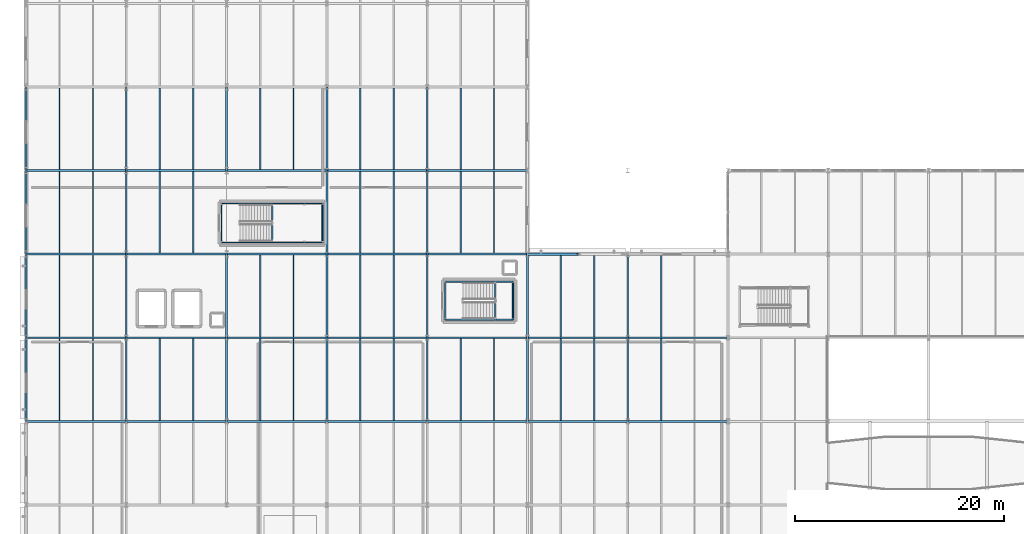
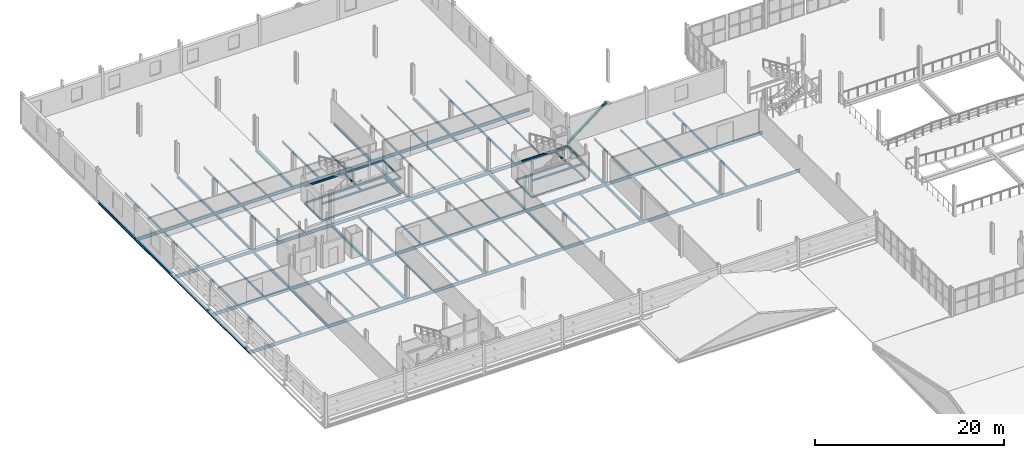
# One storey, part 46 of 85: 103 beams, 1 member.
"""IFC4 building model written with IfcOpenShell, lengths in metres."""

from ifc_helpers import new_model, si_unit, direction, frame, origin, origin_2d, place, context, subcontext, project, spatial, i_section, extrude, material, material_profile, profile_set, type_object, element, save


model = new_model("IFC4")

# Units and contexts
model_context = context("Model", 3, precision=1e-05, world=origin(), true_north=direction((0.0, 1.0)))
body_context = subcontext(model_context, "Body", "Model", "MODEL_VIEW")
ifc_project = project(units=[si_unit("LENGTHUNIT", "METRE"), si_unit("AREAUNIT", "SQUARE_METRE"), si_unit("VOLUMEUNIT", "CUBIC_METRE"), si_unit("PLANEANGLEUNIT", "RADIAN"), si_unit("MASSUNIT", "GRAM", prefix="KILO")], contexts=[model_context])

# Site, building, storey
site_placement = place(None, origin())
site = spatial("IfcSite", under=ifc_project, at=site_placement, CompositionType="ELEMENT")
building_placement = place(site_placement, origin())
building = spatial("IfcBuilding", under=site, at=building_placement, Name="Alderhovde Museum", CompositionType="ELEMENT")
storey_placement = place(building_placement, frame((0.0, 0.0, 8.699951171875)))
storey = spatial("IfcBuildingStorey", under=building, at=storey_placement, Name="L02", CompositionType="ELEMENT", Elevation=8.699951171875)

# Beams
ifc_material_1 = material(Name="Steel S355J2", Category="steel")
ifc_material_profile_1 = material_profile(ifc_material_1, i_section(OverallWidth=0.1201171875, OverallDepth=0.239990234375, WebThickness=0.006103515625, FlangeThickness=0.009765625, FilletRadius=0.014892578125, at=origin_2d()), Name="IPE 240")
ifc_profile_set_1 = profile_set([ifc_material_profile_1], Name="Steel S355J2")
beam_type_1 = type_object("IfcBeamType", Name="BM-IPE240", PredefinedType="BEAM", material=ifc_profile_set_1)
for number, where, z_axis, x_axis, name in (
    (1, (28.320068359375, 81.1201171875, -0.3798828125), (1.0, 0.0, 0.0), (0.0, 1.0, 0.0), "L02 Stair ST2 Floor Trimmer S"),
    (2, (28.320068359375, 84.840087890625, -0.3798828125), (1.0, 0.0, 0.0), (0.0, 1.0, 0.0), "L02 Stair ST2 Floor Trimmer N"),
):
    element("IfcBeam", number, at=place(storey_placement, frame(where, z_axis=z_axis, x_axis=x_axis)), inside=storey, type_object=beam_type_1, Name=name, PredefinedType="BEAM", context=body_context, shape_type="SweptSolid", body=[
        extrude(i_section(OverallWidth=0.1201171875, OverallDepth=0.239990234375, WebThickness=0.006103515625, FlangeThickness=0.009765625, FilletRadius=0.014892578125, at=origin_2d()), origin(), (0.0, 0.0, 1.0), 9.679931640625),
    ])
for number, where, z_axis, x_axis, name in (
    (3, (28.320068359375, 81.1201171875, -0.3798828125), (0.0, 1.0, 0.0), (-1.0, 0.0, 0.0), "L02 Stair ST2 Floor Trimmer W"),
    (4, (38.0, 81.1201171875, -0.3798828125), (0.0, 1.0, 0.0), (-1.0, 0.0, 0.0), "L02 Stair ST2 Floor Trimmer E"),
):
    element("IfcBeam", number, at=place(storey_placement, frame(where, z_axis=z_axis, x_axis=x_axis)), inside=storey, type_object=beam_type_1, Name=name, PredefinedType="BEAM", context=body_context, shape_type="SweptSolid", body=[
        extrude(i_section(OverallWidth=0.1201171875, OverallDepth=0.239990234375, WebThickness=0.006103515625, FlangeThickness=0.009765625, FilletRadius=0.014892578125, at=origin_2d()), origin(), (0.0, 0.0, 1.0), 3.719970703125),
    ])
for number, where, z_axis, x_axis, name in (
    (5, (28.320068359375, 81.1201171875, 1.780029296875), (1.0, 0.0, 0.0), (0.0, 1.0, 0.0), "L02 Stair ST2 Landing 1 Beam S"),
    (6, (28.320068359375, 84.840087890625, 1.780029296875), (1.0, 0.0, 0.0), (0.0, 1.0, 0.0), "L02 Stair ST2 Landing 1 Beam N"),
):
    element("IfcBeam", number, at=place(storey_placement, frame(where, z_axis=z_axis, x_axis=x_axis)), inside=storey, type_object=beam_type_1, Name=name, PredefinedType="BEAM", context=body_context, shape_type="SweptSolid", body=[
        extrude(i_section(OverallWidth=0.1201171875, OverallDepth=0.239990234375, WebThickness=0.006103515625, FlangeThickness=0.009765625, FilletRadius=0.014892578125, at=origin_2d()), origin(), (0.0, 0.0, 1.0), 9.679931640625),
    ])
for number, where, z_axis, x_axis, name in (
    (7, (33.159912109375, 81.1201171875, 1.780029296875), (0.0, 1.0, 0.0), (-1.0, 0.0, 0.0), "L02 Stair ST2 Landing 1 Beam W"),
    (8, (37.919921875, 81.1201171875, 1.780029296875), (0.0, 1.0, 0.0), (-1.0, 0.0, 0.0), "L02 Stair ST2 Landing 1 Beam E"),
):
    element("IfcBeam", number, at=place(storey_placement, frame(where, z_axis=z_axis, x_axis=x_axis)), inside=storey, type_object=beam_type_1, Name=name, PredefinedType="BEAM", context=body_context, shape_type="SweptSolid", body=[
        extrude(i_section(OverallWidth=0.1201171875, OverallDepth=0.239990234375, WebThickness=0.006103515625, FlangeThickness=0.009765625, FilletRadius=0.014892578125, at=origin_2d()), origin(), (0.0, 0.0, 1.0), 3.719970703125),
    ])
for number, where, z_axis, x_axis, name in (
    (9, (49.719970703125, 73.719970703125, -0.3798828125), (1.0, 0.0, 0.0), (0.0, 1.0, 0.0), "L02 Stair ST6 Floor Trimmer S"),
    (10, (49.719970703125, 77.360107421875, -0.3798828125), (1.0, 0.0, 0.0), (0.0, 1.0, 0.0), "L02 Stair ST6 Floor Trimmer N"),
):
    element("IfcBeam", number, at=place(storey_placement, frame(where, z_axis=z_axis, x_axis=x_axis)), inside=storey, type_object=beam_type_1, Name=name, PredefinedType="BEAM", context=body_context, shape_type="SweptSolid", body=[
        extrude(i_section(OverallWidth=0.1201171875, OverallDepth=0.239990234375, WebThickness=0.006103515625, FlangeThickness=0.009765625, FilletRadius=0.014892578125, at=origin_2d()), origin(), (0.0, 0.0, 1.0), 6.52001953125),
    ])
for number, where, z_axis, x_axis, name in (
    (11, (49.719970703125, 73.719970703125, -0.3798828125), (0.0, 1.0, 0.0), (-1.0, 0.0, 0.0), "L02 Stair ST6 Floor Trimmer W"),
    (12, (56.239990234375, 73.719970703125, -0.3798828125), (0.0, 1.0, 0.0), (-1.0, 0.0, 0.0), "L02 Stair ST6 Floor Trimmer E"),
):
    element("IfcBeam", number, at=place(storey_placement, frame(where, z_axis=z_axis, x_axis=x_axis)), inside=storey, type_object=beam_type_1, Name=name, PredefinedType="BEAM", context=body_context, shape_type="SweptSolid", body=[
        extrude(i_section(OverallWidth=0.1201171875, OverallDepth=0.239990234375, WebThickness=0.006103515625, FlangeThickness=0.009765625, FilletRadius=0.014892578125, at=origin_2d()), origin(), (0.0, 0.0, 1.0), 3.64013671875),
    ])
for number, where, z_axis, x_axis, name in (
    (13, (49.719970703125, 73.719970703125, 1.780029296875), (1.0, 0.0, 0.0), (0.0, 1.0, 0.0), "L02 Stair ST6 Landing 1 Beam S"),
    (14, (49.719970703125, 77.360107421875, 1.780029296875), (1.0, 0.0, 0.0), (0.0, 1.0, 0.0), "L02 Stair ST6 Landing 1 Beam N"),
):
    element("IfcBeam", number, at=place(storey_placement, frame(where, z_axis=z_axis, x_axis=x_axis)), inside=storey, type_object=beam_type_1, Name=name, PredefinedType="BEAM", context=body_context, shape_type="SweptSolid", body=[
        extrude(i_section(OverallWidth=0.1201171875, OverallDepth=0.239990234375, WebThickness=0.006103515625, FlangeThickness=0.009765625, FilletRadius=0.014892578125, at=origin_2d()), origin(), (0.0, 0.0, 1.0), 6.52001953125),
    ])
for number, where, z_axis, x_axis, name in (
    (15, (54.52001953125, 73.719970703125, 1.780029296875), (0.0, 1.0, 0.0), (-1.0, 0.0, 0.0), "L02 Stair ST6 Landing 1 Beam W"),
    (16, (56.159912109375, 73.719970703125, 1.780029296875), (0.0, 1.0, 0.0), (-1.0, 0.0, 0.0), "L02 Stair ST6 Landing 1 Beam E"),
):
    element("IfcBeam", number, at=place(storey_placement, frame(where, z_axis=z_axis, x_axis=x_axis)), inside=storey, type_object=beam_type_1, Name=name, PredefinedType="BEAM", context=body_context, shape_type="SweptSolid", body=[
        extrude(i_section(OverallWidth=0.1201171875, OverallDepth=0.239990234375, WebThickness=0.006103515625, FlangeThickness=0.009765625, FilletRadius=0.014892578125, at=origin_2d()), origin(), (0.0, 0.0, 1.0), 3.64013671875),
    ])
ifc_material_2 = material(Name="Steel S355J2", Category="steel")
ifc_material_profile_2 = material_profile(ifc_material_2, i_section(OverallWidth=0.169921875, OverallDepth=0.360107421875, WebThickness=0.008056640625, FlangeThickness=0.0126953125, FilletRadius=0.01806640625, at=origin_2d()), Name="IPE 360")
ifc_profile_set_2 = profile_set([ifc_material_profile_2], Name="Steel S355J2")
beam_type_2 = type_object("IfcBeamType", Name="BM-IPE360", PredefinedType="BEAM", material=ifc_profile_set_2)
for number, where, z_axis, x_axis, name in (
    (17, (9.60009765625, 64.0, -0.43994140625), (0.0, 1.0, 0.0), (-1.0, 0.0, 0.0), "L02 Grid Beam X=9.6 (64.0 TO 72.0)"),
    (18, (9.60009765625, 72.0, -0.43994140625), (0.0, 1.0, 0.0), (-1.0, 0.0, 0.0), "L02 Grid Beam X=9.6 (72.0 TO 80.0)"),
    (19, (9.60009765625, 80.0, -0.43994140625), (0.0, 1.0, 0.0), (-1.0, 0.0, 0.0), "L02 Grid Beam X=9.6 (80.0 TO 88.0)"),
    (20, (9.60009765625, 88.0, -0.43994140625), (0.0, 1.0, 0.0), (-1.0, 0.0, 0.0), "L02 Grid Beam X=9.6 (88.0 TO 96.0)"),
    (21, (19.199951171875, 64.0, -0.43994140625), (0.0, 1.0, 0.0), (-1.0, 0.0, 0.0), "L02 Grid Beam X=19.2 (64.0 TO 72.0)"),
    (22, (19.199951171875, 72.0, -0.43994140625), (0.0, 1.0, 0.0), (-1.0, 0.0, 0.0), "L02 Grid Beam X=19.2 (72.0 TO 80.0)"),
    (23, (19.199951171875, 80.0, -0.43994140625), (0.0, 1.0, 0.0), (-1.0, 0.0, 0.0), "L02 Grid Beam X=19.2 (80.0 TO 88.0)"),
    (24, (19.199951171875, 88.0, -0.43994140625), (0.0, 1.0, 0.0), (-1.0, 0.0, 0.0), "L02 Grid Beam X=19.2 (88.0 TO 96.0)"),
    (25, (28.800048828125, 64.0, -0.43994140625), (0.0, 1.0, 0.0), (-1.0, 0.0, 0.0), "L02 Grid Beam X=28.8 (64.0 TO 72.0)"),
    (26, (28.800048828125, 72.0, -0.43994140625), (0.0, 1.0, 0.0), (-1.0, 0.0, 0.0), "L02 Grid Beam X=28.8 (72.0 TO 80.0)"),
    (27, (28.800048828125, 88.0, -0.43994140625), (0.0, 1.0, 0.0), (-1.0, 0.0, 0.0), "L02 Grid Beam X=28.8 (88.0 TO 96.0)"),
    (28, (38.39990234375, 64.0, -0.43994140625), (0.0, 1.0, 0.0), (-1.0, 0.0, 0.0), "L02 Grid Beam X=38.4 (64.0 TO 72.0)"),
    (29, (38.39990234375, 72.0, -0.43994140625), (0.0, 1.0, 0.0), (-1.0, 0.0, 0.0), "L02 Grid Beam X=38.4 (72.0 TO 80.0)"),
    (30, (38.39990234375, 80.0, -0.43994140625), (0.0, 1.0, 0.0), (-1.0, 0.0, 0.0), "L02 Grid Beam X=38.4 (80.0 TO 88.0)"),
    (31, (38.39990234375, 88.0, -0.43994140625), (0.0, 1.0, 0.0), (-1.0, 0.0, 0.0), "L02 Grid Beam X=38.4 (88.0 TO 96.0)"),
    (32, (48.0, 64.0, -0.43994140625), (0.0, 1.0, 0.0), (-1.0, 0.0, 0.0), "L02 Grid Beam X=48.0 (64.0 TO 72.0)"),
    (33, (48.0, 72.0, -0.43994140625), (0.0, 1.0, 0.0), (-1.0, 0.0, 0.0), "L02 Grid Beam X=48.0 (72.0 TO 80.0)"),
    (34, (48.0, 80.0, -0.43994140625), (0.0, 1.0, 0.0), (-1.0, 0.0, 0.0), "L02 Grid Beam X=48.0 (80.0 TO 88.0)"),
    (35, (48.0, 88.0, -0.43994140625), (0.0, 1.0, 0.0), (-1.0, 0.0, 0.0), "L02 Grid Beam X=48.0 (88.0 TO 96.0)"),
    (36, (57.60009765625, 64.0, -0.43994140625), (0.0, 1.0, 0.0), (-1.0, 0.0, 0.0), "L02 Grid Beam X=57.6 (64.0 TO 72.0)"),
    (37, (57.60009765625, 72.0, -0.43994140625), (0.0, 1.0, 0.0), (-1.0, 0.0, 0.0), "L02 Grid Beam X=57.6 (72.0 TO 80.0)"),
    (38, (67.199951171875, 64.0, -0.43994140625), (0.0, 1.0, 0.0), (-1.0, 0.0, 0.0), "L02 Grid Beam X=67.2 (64.0 TO 72.0)"),
    (39, (67.199951171875, 72.0, -0.43994140625), (0.0, 1.0, 0.0), (-1.0, 0.0, 0.0), "L02 Grid Beam X=67.2 (72.0 TO 80.0)"),
):
    element("IfcBeam", number, at=place(storey_placement, frame(where, z_axis=z_axis, x_axis=x_axis)), inside=storey, type_object=beam_type_2, Name=name, PredefinedType="BEAM", context=body_context, shape_type="SweptSolid", body=[
        extrude(i_section(OverallWidth=0.169921875, OverallDepth=0.360107421875, WebThickness=0.008056640625, FlangeThickness=0.0126953125, FilletRadius=0.01806640625, at=origin_2d()), origin(), (0.0, 0.0, 1.0), 8.0),
    ])
ifc_material_3 = material(Name="Steel S355J2", Category="steel")
ifc_material_profile_3 = material_profile(ifc_material_3, i_section(OverallWidth=0.179931640625, OverallDepth=0.39990234375, WebThickness=0.008544921875, FlangeThickness=0.013427734375, FilletRadius=0.02099609375, at=origin_2d()), Name="IPE 400")
ifc_profile_set_3 = profile_set([ifc_material_profile_3], Name="Steel S355J2")
beam_type_3 = type_object("IfcBeamType", Name="BM-IPE400", PredefinedType="BEAM", material=ifc_profile_set_3)
beam_1_placement = place(storey_placement, frame((9.60009765625, 64.0, -0.4599609375), z_axis=(1.0, 0.0, 0.0), x_axis=(0.0, 1.0, 0.0)))
element("IfcBeam", 40, at=beam_1_placement, inside=storey, type_object=beam_type_3, Name="L02 Grid Beam Y=64.0 (9.6 TO 19.2)", PredefinedType="BEAM", context=body_context, shape_type="SweptSolid", body=[
    extrude(i_section(OverallWidth=0.179931640625, OverallDepth=0.39990234375, WebThickness=0.008544921875, FlangeThickness=0.013427734375, FilletRadius=0.02099609375, at=origin_2d()), origin(), (0.0, 0.0, 1.0), 9.599853515625),
])
beam_2_placement = place(storey_placement, frame((19.199951171875, 64.0, -0.4599609375), z_axis=(1.0, 0.0, 0.0), x_axis=(0.0, 1.0, 0.0)))
element("IfcBeam", 41, at=beam_2_placement, inside=storey, type_object=beam_type_3, Name="L02 Grid Beam Y=64.0 (19.2 TO 28.8)", PredefinedType="BEAM", context=body_context, shape_type="SweptSolid", body=[
    extrude(i_section(OverallWidth=0.179931640625, OverallDepth=0.39990234375, WebThickness=0.008544921875, FlangeThickness=0.013427734375, FilletRadius=0.02099609375, at=origin_2d()), origin(), (0.0, 0.0, 1.0), 9.60009765625),
])
beam_3_placement = place(storey_placement, frame((28.800048828125, 64.0, -0.4599609375), z_axis=(1.0, 0.0, 0.0), x_axis=(0.0, 1.0, 0.0)))
element("IfcBeam", 42, at=beam_3_placement, inside=storey, type_object=beam_type_3, Name="L02 Grid Beam Y=64.0 (28.8 TO 38.4)", PredefinedType="BEAM", context=body_context, shape_type="SweptSolid", body=[
    extrude(i_section(OverallWidth=0.179931640625, OverallDepth=0.39990234375, WebThickness=0.008544921875, FlangeThickness=0.013427734375, FilletRadius=0.02099609375, at=origin_2d()), origin(), (0.0, 0.0, 1.0), 9.599853515625),
])
for number, where, z_axis, x_axis, name in (
    (43, (38.39990234375, 64.0, -0.4599609375), (1.0, 0.0, 0.0), (0.0, 1.0, 0.0), "L02 Grid Beam Y=64.0 (38.4 TO 48.0)"),
    (44, (48.0, 64.0, -0.4599609375), (1.0, 0.0, 0.0), (0.0, 1.0, 0.0), "L02 Grid Beam Y=64.0 (48.0 TO 57.6)"),
):
    element("IfcBeam", number, at=place(storey_placement, frame(where, z_axis=z_axis, x_axis=x_axis)), inside=storey, type_object=beam_type_3, Name=name, PredefinedType="BEAM", context=body_context, shape_type="SweptSolid", body=[
        extrude(i_section(OverallWidth=0.179931640625, OverallDepth=0.39990234375, WebThickness=0.008544921875, FlangeThickness=0.013427734375, FilletRadius=0.02099609375, at=origin_2d()), origin(), (0.0, 0.0, 1.0), 9.60009765625),
    ])
beam_4_placement = place(storey_placement, frame((57.60009765625, 64.0, -0.4599609375), z_axis=(1.0, 0.0, 0.0), x_axis=(0.0, 1.0, 0.0)))
element("IfcBeam", 45, at=beam_4_placement, inside=storey, type_object=beam_type_3, Name="L02 Grid Beam Y=64.0 (57.6 TO 67.2)", PredefinedType="BEAM", context=body_context, shape_type="SweptSolid", body=[
    extrude(i_section(OverallWidth=0.179931640625, OverallDepth=0.39990234375, WebThickness=0.008544921875, FlangeThickness=0.013427734375, FilletRadius=0.02099609375, at=origin_2d()), origin(), (0.0, 0.0, 1.0), 9.599853515625),
])
beam_5_placement = place(storey_placement, frame((67.199951171875, 64.0, -0.4599609375), z_axis=(1.0, 0.0, 0.0), x_axis=(0.0, 1.0, 0.0)))
element("IfcBeam", 46, at=beam_5_placement, inside=storey, type_object=beam_type_3, Name="L02 Grid Beam Y=64.0 (67.2 TO 76.8)", PredefinedType="BEAM", context=body_context, shape_type="SweptSolid", body=[
    extrude(i_section(OverallWidth=0.179931640625, OverallDepth=0.39990234375, WebThickness=0.008544921875, FlangeThickness=0.013427734375, FilletRadius=0.02099609375, at=origin_2d()), origin(), (0.0, 0.0, 1.0), 9.60009765625),
])
beam_6_placement = place(storey_placement, frame((9.60009765625, 72.0, -0.4599609375), z_axis=(1.0, 0.0, 0.0), x_axis=(0.0, 1.0, 0.0)))
element("IfcBeam", 47, at=beam_6_placement, inside=storey, type_object=beam_type_3, Name="L02 Grid Beam Y=72.0 (9.6 TO 19.2)", PredefinedType="BEAM", context=body_context, shape_type="SweptSolid", body=[
    extrude(i_section(OverallWidth=0.179931640625, OverallDepth=0.39990234375, WebThickness=0.008544921875, FlangeThickness=0.013427734375, FilletRadius=0.02099609375, at=origin_2d()), origin(), (0.0, 0.0, 1.0), 9.599853515625),
])
beam_7_placement = place(storey_placement, frame((19.199951171875, 72.0, -0.4599609375), z_axis=(1.0, 0.0, 0.0), x_axis=(0.0, 1.0, 0.0)))
element("IfcBeam", 48, at=beam_7_placement, inside=storey, type_object=beam_type_3, Name="L02 Grid Beam Y=72.0 (19.2 TO 28.8)", PredefinedType="BEAM", context=body_context, shape_type="SweptSolid", body=[
    extrude(i_section(OverallWidth=0.179931640625, OverallDepth=0.39990234375, WebThickness=0.008544921875, FlangeThickness=0.013427734375, FilletRadius=0.02099609375, at=origin_2d()), origin(), (0.0, 0.0, 1.0), 9.60009765625),
])
beam_8_placement = place(storey_placement, frame((28.800048828125, 72.0, -0.4599609375), z_axis=(1.0, 0.0, 0.0), x_axis=(0.0, 1.0, 0.0)))
element("IfcBeam", 49, at=beam_8_placement, inside=storey, type_object=beam_type_3, Name="L02 Grid Beam Y=72.0 (28.8 TO 38.4)", PredefinedType="BEAM", context=body_context, shape_type="SweptSolid", body=[
    extrude(i_section(OverallWidth=0.179931640625, OverallDepth=0.39990234375, WebThickness=0.008544921875, FlangeThickness=0.013427734375, FilletRadius=0.02099609375, at=origin_2d()), origin(), (0.0, 0.0, 1.0), 9.599853515625),
])
for number, where, z_axis, x_axis, name in (
    (50, (38.39990234375, 72.0, -0.4599609375), (1.0, 0.0, 0.0), (0.0, 1.0, 0.0), "L02 Grid Beam Y=72.0 (38.4 TO 48.0)"),
    (51, (48.0, 72.0, -0.4599609375), (1.0, 0.0, 0.0), (0.0, 1.0, 0.0), "L02 Grid Beam Y=72.0 (48.0 TO 57.6)"),
):
    element("IfcBeam", number, at=place(storey_placement, frame(where, z_axis=z_axis, x_axis=x_axis)), inside=storey, type_object=beam_type_3, Name=name, PredefinedType="BEAM", context=body_context, shape_type="SweptSolid", body=[
        extrude(i_section(OverallWidth=0.179931640625, OverallDepth=0.39990234375, WebThickness=0.008544921875, FlangeThickness=0.013427734375, FilletRadius=0.02099609375, at=origin_2d()), origin(), (0.0, 0.0, 1.0), 9.60009765625),
    ])
beam_9_placement = place(storey_placement, frame((57.60009765625, 72.0, -0.4599609375), z_axis=(1.0, 0.0, 0.0), x_axis=(0.0, 1.0, 0.0)))
element("IfcBeam", 52, at=beam_9_placement, inside=storey, type_object=beam_type_3, Name="L02 Grid Beam Y=72.0 (57.6 TO 67.2)", PredefinedType="BEAM", context=body_context, shape_type="SweptSolid", body=[
    extrude(i_section(OverallWidth=0.179931640625, OverallDepth=0.39990234375, WebThickness=0.008544921875, FlangeThickness=0.013427734375, FilletRadius=0.02099609375, at=origin_2d()), origin(), (0.0, 0.0, 1.0), 9.599853515625),
])
beam_10_placement = place(storey_placement, frame((67.199951171875, 72.0, -0.4599609375), z_axis=(1.0, 0.0, 0.0), x_axis=(0.0, 1.0, 0.0)))
element("IfcBeam", 53, at=beam_10_placement, inside=storey, type_object=beam_type_3, Name="L02 Grid Beam Y=72.0 (67.2 TO 76.8)", PredefinedType="BEAM", context=body_context, shape_type="SweptSolid", body=[
    extrude(i_section(OverallWidth=0.179931640625, OverallDepth=0.39990234375, WebThickness=0.008544921875, FlangeThickness=0.013427734375, FilletRadius=0.02099609375, at=origin_2d()), origin(), (0.0, 0.0, 1.0), 9.60009765625),
])
beam_11_placement = place(storey_placement, frame((9.60009765625, 80.0, -0.4599609375), z_axis=(1.0, 0.0, 0.0), x_axis=(0.0, 1.0, 0.0)))
element("IfcBeam", 54, at=beam_11_placement, inside=storey, type_object=beam_type_3, Name="L02 Grid Beam Y=80.0 (9.6 TO 19.2)", PredefinedType="BEAM", context=body_context, shape_type="SweptSolid", body=[
    extrude(i_section(OverallWidth=0.179931640625, OverallDepth=0.39990234375, WebThickness=0.008544921875, FlangeThickness=0.013427734375, FilletRadius=0.02099609375, at=origin_2d()), origin(), (0.0, 0.0, 1.0), 9.599853515625),
])
beam_12_placement = place(storey_placement, frame((19.199951171875, 80.0, -0.4599609375), z_axis=(1.0, 0.0, 0.0), x_axis=(0.0, 1.0, 0.0)))
element("IfcBeam", 55, at=beam_12_placement, inside=storey, type_object=beam_type_3, Name="L02 Grid Beam Y=80.0 (19.2 TO 28.8)", PredefinedType="BEAM", context=body_context, shape_type="SweptSolid", body=[
    extrude(i_section(OverallWidth=0.179931640625, OverallDepth=0.39990234375, WebThickness=0.008544921875, FlangeThickness=0.013427734375, FilletRadius=0.02099609375, at=origin_2d()), origin(), (0.0, 0.0, 1.0), 9.60009765625),
])
beam_13_placement = place(storey_placement, frame((28.800048828125, 80.0, -0.4599609375), z_axis=(1.0, 0.0, 0.0), x_axis=(0.0, 1.0, 0.0)))
element("IfcBeam", 56, at=beam_13_placement, inside=storey, type_object=beam_type_3, Name="L02 Grid Beam Y=80.0 (28.8 TO 38.4)", PredefinedType="BEAM", context=body_context, shape_type="SweptSolid", body=[
    extrude(i_section(OverallWidth=0.179931640625, OverallDepth=0.39990234375, WebThickness=0.008544921875, FlangeThickness=0.013427734375, FilletRadius=0.02099609375, at=origin_2d()), origin(), (0.0, 0.0, 1.0), 9.599853515625),
])
for number, where, z_axis, x_axis, name in (
    (57, (38.39990234375, 80.0, -0.4599609375), (1.0, 0.0, 0.0), (0.0, 1.0, 0.0), "L02 Grid Beam Y=80.0 (38.4 TO 48.0)"),
    (58, (48.0, 80.0, -0.4599609375), (1.0, 0.0, 0.0), (0.0, 1.0, 0.0), "L02 Grid Beam Y=80.0 (48.0 TO 57.6)"),
):
    element("IfcBeam", number, at=place(storey_placement, frame(where, z_axis=z_axis, x_axis=x_axis)), inside=storey, type_object=beam_type_3, Name=name, PredefinedType="BEAM", context=body_context, shape_type="SweptSolid", body=[
        extrude(i_section(OverallWidth=0.179931640625, OverallDepth=0.39990234375, WebThickness=0.008544921875, FlangeThickness=0.013427734375, FilletRadius=0.02099609375, at=origin_2d()), origin(), (0.0, 0.0, 1.0), 9.60009765625),
    ])
beam_14_placement = place(storey_placement, frame((9.60009765625, 88.0, -0.4599609375), z_axis=(1.0, 0.0, 0.0), x_axis=(0.0, 1.0, 0.0)))
element("IfcBeam", 59, at=beam_14_placement, inside=storey, type_object=beam_type_3, Name="L02 Grid Beam Y=88.0 (9.6 TO 19.2)", PredefinedType="BEAM", context=body_context, shape_type="SweptSolid", body=[
    extrude(i_section(OverallWidth=0.179931640625, OverallDepth=0.39990234375, WebThickness=0.008544921875, FlangeThickness=0.013427734375, FilletRadius=0.02099609375, at=origin_2d()), origin(), (0.0, 0.0, 1.0), 9.599853515625),
])
beam_15_placement = place(storey_placement, frame((19.199951171875, 88.0, -0.4599609375), z_axis=(1.0, 0.0, 0.0), x_axis=(0.0, 1.0, 0.0)))
element("IfcBeam", 60, at=beam_15_placement, inside=storey, type_object=beam_type_3, Name="L02 Grid Beam Y=88.0 (19.2 TO 28.8)", PredefinedType="BEAM", context=body_context, shape_type="SweptSolid", body=[
    extrude(i_section(OverallWidth=0.179931640625, OverallDepth=0.39990234375, WebThickness=0.008544921875, FlangeThickness=0.013427734375, FilletRadius=0.02099609375, at=origin_2d()), origin(), (0.0, 0.0, 1.0), 9.60009765625),
])
beam_16_placement = place(storey_placement, frame((28.800048828125, 88.0, -0.4599609375), z_axis=(1.0, 0.0, 0.0), x_axis=(0.0, 1.0, 0.0)))
element("IfcBeam", 61, at=beam_16_placement, inside=storey, type_object=beam_type_3, Name="L02 Grid Beam Y=88.0 (28.8 TO 38.4)", PredefinedType="BEAM", context=body_context, shape_type="SweptSolid", body=[
    extrude(i_section(OverallWidth=0.179931640625, OverallDepth=0.39990234375, WebThickness=0.008544921875, FlangeThickness=0.013427734375, FilletRadius=0.02099609375, at=origin_2d()), origin(), (0.0, 0.0, 1.0), 9.599853515625),
])
for number, where, z_axis, x_axis, name in (
    (62, (38.39990234375, 88.0, -0.4599609375), (1.0, 0.0, 0.0), (0.0, 1.0, 0.0), "L02 Grid Beam Y=88.0 (38.4 TO 48.0)"),
    (63, (48.0, 88.0, -0.4599609375), (1.0, 0.0, 0.0), (0.0, 1.0, 0.0), "L02 Grid Beam Y=88.0 (48.0 TO 57.6)"),
):
    element("IfcBeam", number, at=place(storey_placement, frame(where, z_axis=z_axis, x_axis=x_axis)), inside=storey, type_object=beam_type_3, Name=name, PredefinedType="BEAM", context=body_context, shape_type="SweptSolid", body=[
        extrude(i_section(OverallWidth=0.179931640625, OverallDepth=0.39990234375, WebThickness=0.008544921875, FlangeThickness=0.013427734375, FilletRadius=0.02099609375, at=origin_2d()), origin(), (0.0, 0.0, 1.0), 9.60009765625),
    ])

# Member
ifc_material_4 = material(Name="Steel S355J2", Category="steel")
ifc_material_profile_4 = material_profile(ifc_material_4, i_section(OverallWidth=0.239990234375, OverallDepth=0.22998046875, WebThickness=0.007568359375, FlangeThickness=0.011962890625, FilletRadius=0.02099609375, at=origin_2d()), Name="HEA 240")
ifc_profile_set_4 = profile_set([ifc_material_profile_4], Name="Steel S355J2")
member_type = type_object("IfcMemberType", Name="BR-HEA240", PredefinedType="BRACE", material=ifc_profile_set_4)
member_placement = place(storey_placement, frame((57.60009765625, 80.0, 0.0), z_axis=(0.790405319037, 0.0, 0.612584224118), x_axis=(0.0, 1.0, 0.0)))
element("IfcMember", 64, at=member_placement, inside=storey, type_object=member_type, Name="L02 Chevron Brace BR-V1-N-L", PredefinedType="BRACE", context=body_context, shape_type="SweptSolid", body=[
    extrude(i_section(OverallWidth=0.239990234375, OverallDepth=0.22998046875, WebThickness=0.007568359375, FlangeThickness=0.011962890625, FilletRadius=0.02099609375, at=origin_2d()), origin(), (0.0, 0.0, 1.0), 6.072509765625),
])

# Beams
ifc_material_5 = material(Name="Steel S355J2", Category="steel")
ifc_material_profile_5 = material_profile(ifc_material_5, i_section(OverallWidth=0.1201171875, OverallDepth=0.239990234375, WebThickness=0.006103515625, FlangeThickness=0.009765625, FilletRadius=0.014892578125, at=origin_2d()), Name="IPE 240")
ifc_profile_set_5 = profile_set([ifc_material_profile_5], Name="Steel S355J2")
beam_type_4 = type_object("IfcBeamType", Name="JST-IPE240", PredefinedType="JOIST", material=ifc_profile_set_5)
for number, where, z_axis, x_axis, name in (
    (65, (16.0, 64.090087890625, -0.3798828125), (0.0, 1.0, 0.0), (-1.0, 0.0, 0.0), "L02 Composite Joist X=16.0 (64.0 TO 72.0)"),
    (66, (16.0, 72.090087890625, -0.3798828125), (0.0, 1.0, 0.0), (-1.0, 0.0, 0.0), "L02 Composite Joist X=16.0 (72.0 TO 80.0)"),
    (67, (16.0, 80.090087890625, -0.3798828125), (0.0, 1.0, 0.0), (-1.0, 0.0, 0.0), "L02 Composite Joist X=16.0 (80.0 TO 88.0)"),
    (68, (16.0, 88.090087890625, -0.3798828125), (0.0, 1.0, 0.0), (-1.0, 0.0, 0.0), "L02 Composite Joist X=16.0 (88.0 TO 96.0)"),
    (69, (25.60009765625, 64.090087890625, -0.3798828125), (0.0, 1.0, 0.0), (-1.0, 0.0, 0.0), "L02 Composite Joist X=25.6 (64.0 TO 72.0)"),
    (70, (25.60009765625, 80.090087890625, -0.3798828125), (0.0, 1.0, 0.0), (-1.0, 0.0, 0.0), "L02 Composite Joist X=25.6 (80.0 TO 88.0)"),
    (71, (25.60009765625, 88.090087890625, -0.3798828125), (0.0, 1.0, 0.0), (-1.0, 0.0, 0.0), "L02 Composite Joist X=25.6 (88.0 TO 96.0)"),
    (72, (35.199951171875, 64.090087890625, -0.3798828125), (0.0, 1.0, 0.0), (-1.0, 0.0, 0.0), "L02 Composite Joist X=35.2 (64.0 TO 72.0)"),
    (73, (35.199951171875, 72.090087890625, -0.3798828125), (0.0, 1.0, 0.0), (-1.0, 0.0, 0.0), "L02 Composite Joist X=35.2 (72.0 TO 80.0)"),
    (74, (35.199951171875, 88.090087890625, -0.3798828125), (0.0, 1.0, 0.0), (-1.0, 0.0, 0.0), "L02 Composite Joist X=35.2 (88.0 TO 96.0)"),
    (75, (44.800048828125, 64.090087890625, -0.3798828125), (0.0, 1.0, 0.0), (-1.0, 0.0, 0.0), "L02 Composite Joist X=44.8 (64.0 TO 72.0)"),
    (76, (44.800048828125, 72.090087890625, -0.3798828125), (0.0, 1.0, 0.0), (-1.0, 0.0, 0.0), "L02 Composite Joist X=44.8 (72.0 TO 80.0)"),
    (77, (44.800048828125, 80.090087890625, -0.3798828125), (0.0, 1.0, 0.0), (-1.0, 0.0, 0.0), "L02 Composite Joist X=44.8 (80.0 TO 88.0)"),
    (78, (44.800048828125, 88.090087890625, -0.3798828125), (0.0, 1.0, 0.0), (-1.0, 0.0, 0.0), "L02 Composite Joist X=44.8 (88.0 TO 96.0)"),
    (79, (54.39990234375, 64.090087890625, -0.3798828125), (0.0, 1.0, 0.0), (-1.0, 0.0, 0.0), "L02 Composite Joist X=54.4 (64.0 TO 72.0)"),
    (80, (54.39990234375, 80.090087890625, -0.3798828125), (0.0, 1.0, 0.0), (-1.0, 0.0, 0.0), "L02 Composite Joist X=54.4 (80.0 TO 88.0)"),
    (81, (54.39990234375, 88.090087890625, -0.3798828125), (0.0, 1.0, 0.0), (-1.0, 0.0, 0.0), "L02 Composite Joist X=54.4 (88.0 TO 96.0)"),
    (82, (64.0, 64.090087890625, -0.3798828125), (0.0, 1.0, 0.0), (-1.0, 0.0, 0.0), "L02 Composite Joist X=64.0 (64.0 TO 72.0)"),
):
    element("IfcBeam", number, at=place(storey_placement, frame(where, z_axis=z_axis, x_axis=x_axis)), inside=storey, type_object=beam_type_4, Name=name, PredefinedType="JOIST", context=body_context, shape_type="SweptSolid", body=[
        extrude(i_section(OverallWidth=0.1201171875, OverallDepth=0.239990234375, WebThickness=0.006103515625, FlangeThickness=0.009765625, FilletRadius=0.014892578125, at=origin_2d()), origin(), (0.0, 0.0, 1.0), 7.81982421875),
    ])
beam_17_placement = place(storey_placement, frame((64.0, 72.090087890625, -0.3798828125), z_axis=(0.0, 1.0, 0.0), x_axis=(-1.0, 0.0, 0.0)))
element("IfcBeam", 83, at=beam_17_placement, inside=storey, type_object=beam_type_4, Name="L02 Composite Joist X=64.0 (72.0 TO 80.0)", PredefinedType="JOIST", context=body_context, shape_type="SweptSolid", body=[
    extrude(i_section(OverallWidth=0.1201171875, OverallDepth=0.239990234375, WebThickness=0.006103515625, FlangeThickness=0.009765625, FilletRadius=0.014892578125, at=origin_2d()), origin(), (0.0, 0.0, 1.0), 7.760009765625),
])
ifc_material_6 = material(Name="Steel S355J2", Category="steel")
ifc_material_profile_6 = material_profile(ifc_material_6, i_section(OverallWidth=0.135009765625, OverallDepth=0.27001953125, WebThickness=0.006591796875, FlangeThickness=0.01025390625, FilletRadius=0.014892578125, at=origin_2d()), Name="IPE 270")
ifc_profile_set_6 = profile_set([ifc_material_profile_6], Name="Steel S355J2")
beam_type_5 = type_object("IfcBeamType", Name="JST-IPE270", PredefinedType="JOIST", material=ifc_profile_set_6)
for number, where, z_axis, x_axis, name in (
    (84, (12.800048828125, 64.090087890625, -0.39501953125), (0.0, 1.0, 0.0), (-1.0, 0.0, 0.0), "L02 Composite Joist X=12.8 (64.0 TO 72.0)"),
    (85, (12.800048828125, 72.090087890625, -0.39501953125), (0.0, 1.0, 0.0), (-1.0, 0.0, 0.0), "L02 Composite Joist X=12.8 (72.0 TO 80.0)"),
    (86, (12.800048828125, 80.090087890625, -0.39501953125), (0.0, 1.0, 0.0), (-1.0, 0.0, 0.0), "L02 Composite Joist X=12.8 (80.0 TO 88.0)"),
    (87, (12.800048828125, 88.090087890625, -0.39501953125), (0.0, 1.0, 0.0), (-1.0, 0.0, 0.0), "L02 Composite Joist X=12.8 (88.0 TO 96.0)"),
    (88, (22.39990234375, 64.090087890625, -0.39501953125), (0.0, 1.0, 0.0), (-1.0, 0.0, 0.0), "L02 Composite Joist X=22.4 (64.0 TO 72.0)"),
    (89, (22.39990234375, 80.090087890625, -0.39501953125), (0.0, 1.0, 0.0), (-1.0, 0.0, 0.0), "L02 Composite Joist X=22.4 (80.0 TO 88.0)"),
    (90, (22.39990234375, 88.090087890625, -0.39501953125), (0.0, 1.0, 0.0), (-1.0, 0.0, 0.0), "L02 Composite Joist X=22.4 (88.0 TO 96.0)"),
    (91, (32.0, 64.090087890625, -0.39501953125), (0.0, 1.0, 0.0), (-1.0, 0.0, 0.0), "L02 Composite Joist X=32.0 (64.0 TO 72.0)"),
    (92, (32.0, 72.090087890625, -0.39501953125), (0.0, 1.0, 0.0), (-1.0, 0.0, 0.0), "L02 Composite Joist X=32.0 (72.0 TO 80.0)"),
    (93, (32.0, 88.090087890625, -0.39501953125), (0.0, 1.0, 0.0), (-1.0, 0.0, 0.0), "L02 Composite Joist X=32.0 (88.0 TO 96.0)"),
    (94, (41.60009765625, 64.090087890625, -0.39501953125), (0.0, 1.0, 0.0), (-1.0, 0.0, 0.0), "L02 Composite Joist X=41.6 (64.0 TO 72.0)"),
    (95, (41.60009765625, 72.090087890625, -0.39501953125), (0.0, 1.0, 0.0), (-1.0, 0.0, 0.0), "L02 Composite Joist X=41.6 (72.0 TO 80.0)"),
    (96, (41.60009765625, 80.090087890625, -0.39501953125), (0.0, 1.0, 0.0), (-1.0, 0.0, 0.0), "L02 Composite Joist X=41.6 (80.0 TO 88.0)"),
    (97, (41.60009765625, 88.090087890625, -0.39501953125), (0.0, 1.0, 0.0), (-1.0, 0.0, 0.0), "L02 Composite Joist X=41.6 (88.0 TO 96.0)"),
    (98, (51.199951171875, 64.090087890625, -0.39501953125), (0.0, 1.0, 0.0), (-1.0, 0.0, 0.0), "L02 Composite Joist X=51.2 (64.0 TO 72.0)"),
    (99, (51.199951171875, 80.090087890625, -0.39501953125), (0.0, 1.0, 0.0), (-1.0, 0.0, 0.0), "L02 Composite Joist X=51.2 (80.0 TO 88.0)"),
    (100, (51.199951171875, 88.090087890625, -0.39501953125), (0.0, 1.0, 0.0), (-1.0, 0.0, 0.0), "L02 Composite Joist X=51.2 (88.0 TO 96.0)"),
    (101, (60.800048828125, 64.090087890625, -0.39501953125), (0.0, 1.0, 0.0), (-1.0, 0.0, 0.0), "L02 Composite Joist X=60.8 (64.0 TO 72.0)"),
):
    element("IfcBeam", number, at=place(storey_placement, frame(where, z_axis=z_axis, x_axis=x_axis)), inside=storey, type_object=beam_type_5, Name=name, PredefinedType="JOIST", context=body_context, shape_type="SweptSolid", body=[
        extrude(i_section(OverallWidth=0.135009765625, OverallDepth=0.27001953125, WebThickness=0.006591796875, FlangeThickness=0.01025390625, FilletRadius=0.014892578125, at=origin_2d()), origin(), (0.0, 0.0, 1.0), 7.81982421875),
    ])
beam_18_placement = place(storey_placement, frame((60.800048828125, 72.090087890625, -0.39501953125), z_axis=(0.0, 1.0, 0.0), x_axis=(-1.0, 0.0, 0.0)))
element("IfcBeam", 102, at=beam_18_placement, inside=storey, type_object=beam_type_5, Name="L02 Composite Joist X=60.8 (72.0 TO 80.0)", PredefinedType="JOIST", context=body_context, shape_type="SweptSolid", body=[
    extrude(i_section(OverallWidth=0.135009765625, OverallDepth=0.27001953125, WebThickness=0.006591796875, FlangeThickness=0.01025390625, FilletRadius=0.014892578125, at=origin_2d()), origin(), (0.0, 0.0, 1.0), 7.760009765625),
])
beam_19_placement = place(storey_placement, frame((70.39990234375, 64.090087890625, -0.39501953125), z_axis=(0.0, 1.0, 0.0), x_axis=(-1.0, 0.0, 0.0)))
element("IfcBeam", 103, at=beam_19_placement, inside=storey, type_object=beam_type_5, Name="L02 Composite Joist X=70.4 (64.0 TO 72.0)", PredefinedType="JOIST", context=body_context, shape_type="SweptSolid", body=[
    extrude(i_section(OverallWidth=0.135009765625, OverallDepth=0.27001953125, WebThickness=0.006591796875, FlangeThickness=0.01025390625, FilletRadius=0.014892578125, at=origin_2d()), origin(), (0.0, 0.0, 1.0), 7.81982421875),
])
beam_20_placement = place(storey_placement, frame((70.39990234375, 72.090087890625, -0.39501953125), z_axis=(0.0, 1.0, 0.0), x_axis=(-1.0, 0.0, 0.0)))
element("IfcBeam", 104, at=beam_20_placement, inside=storey, type_object=beam_type_5, Name="L02 Composite Joist X=70.4 (72.0 TO 80.0)", PredefinedType="JOIST", context=body_context, shape_type="SweptSolid", body=[
    extrude(i_section(OverallWidth=0.135009765625, OverallDepth=0.27001953125, WebThickness=0.006591796875, FlangeThickness=0.01025390625, FilletRadius=0.014892578125, at=origin_2d()), origin(), (0.0, 0.0, 1.0), 7.760009765625),
])

save(model, "model.ifc")
